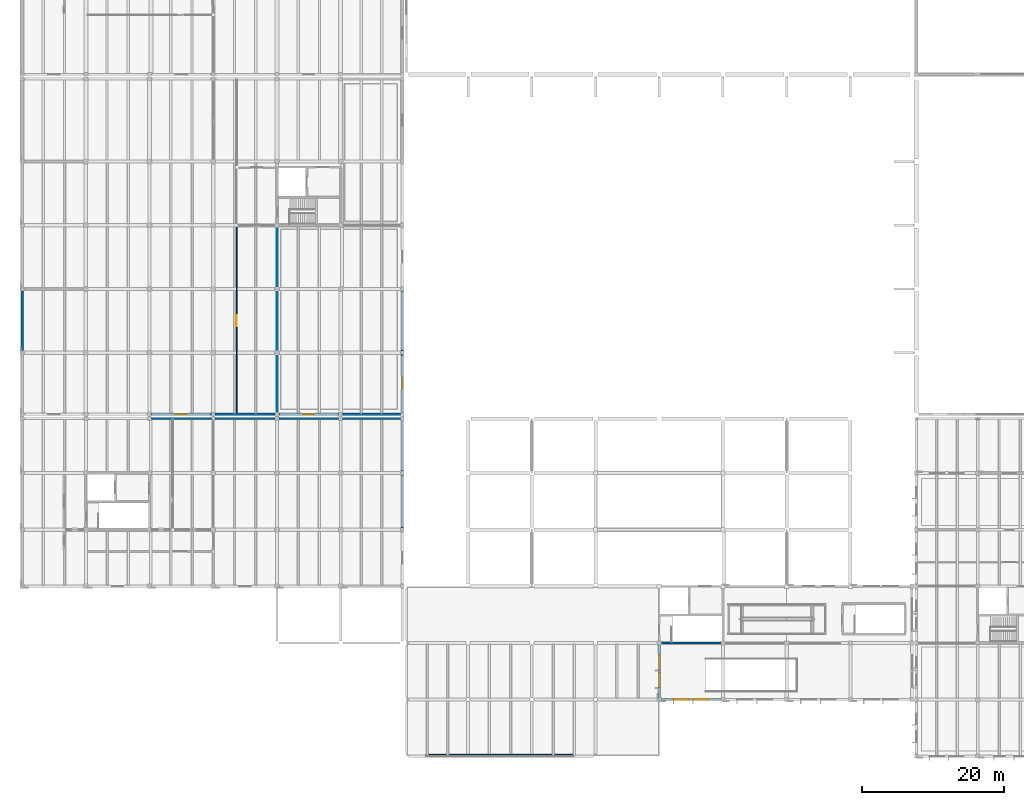
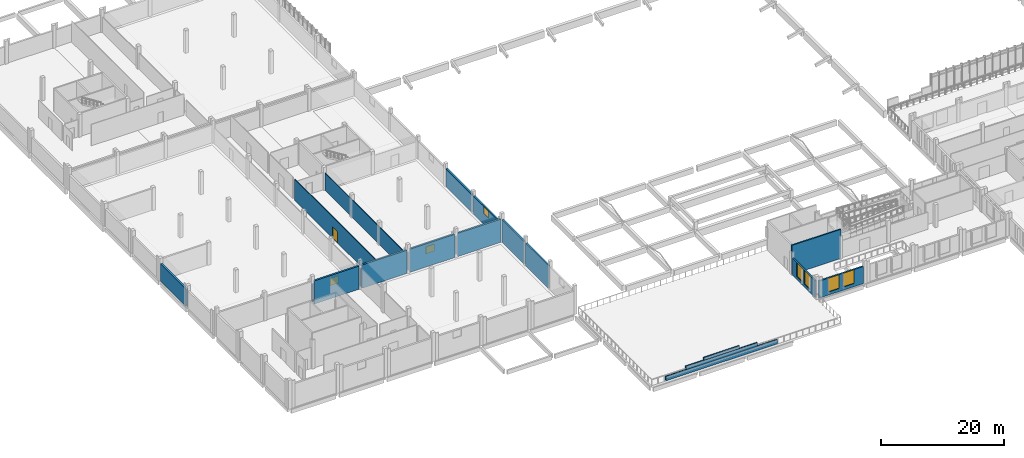
# One storey, part 34 of 63: 21 walls, 7 windows, 1 door, 8 openings.
"""IFC4 building model written with IfcOpenShell, lengths in metres."""

from ifc_helpers import new_model, si_unit, direction, frame, frame_2d, origin, place, context, subcontext, project, spatial, rectangle, extrude, material, layer, layer_set, type_object, element, fill, save


model = new_model("IFC4")

# Units and contexts
model_context = context("Model", 3, precision=1e-05, world=origin(), true_north=direction((0.0, 1.0)))
body_context = subcontext(model_context, "Body", "Model", "MODEL_VIEW")
ifc_project = project(units=[si_unit("LENGTHUNIT", "METRE"), si_unit("AREAUNIT", "SQUARE_METRE"), si_unit("VOLUMEUNIT", "CUBIC_METRE"), si_unit("PLANEANGLEUNIT", "RADIAN"), si_unit("MASSUNIT", "GRAM", prefix="KILO")], contexts=[model_context])

# Site, building, storey
site_placement = place(None, origin())
site = spatial("IfcSite", under=ifc_project, at=site_placement, CompositionType="ELEMENT")
building_placement = place(site_placement, origin())
building = spatial("IfcBuilding", under=site, at=building_placement, Name="Zacnel Wholesale Market", CompositionType="ELEMENT")
storey_placement = place(building_placement, frame((0.0, 0.0, 11.199951171875)))
storey = spatial("IfcBuildingStorey", under=building, at=storey_placement, Name="L03", CompositionType="ELEMENT", Elevation=11.199951171875)

# Walls
ifc_material_1 = material(Name="Concrete C40/50", Category="concrete")
ifc_layer_1 = layer(ifc_material_1, 0.25)
ifc_layer_set_1 = layer_set([ifc_layer_1], Name="Concrete C40/50")
wall_type_1 = type_object("IfcWallType", Name="WL-CORE-SW250", PredefinedType="SOLIDWALL", material=ifc_layer_set_1)
wall_1_placement = place(storey_placement, frame((107.875, 16.0, 0.0), z_axis=(0.0, 0.0, 1.0), x_axis=(1.0, 0.0, 0.0)))
element("IfcWall", 1, at=wall_1_placement, inside=storey, type_object=wall_type_1, Name="Core C8 south shear wall L03", PredefinedType="SOLIDWALL", context=body_context, shape_type="SweptSolid", body=[
    extrude(rectangle(XDim=9.25, YDim=0.25, at=frame_2d((4.625, 0.0))), origin(), (0.0, 0.0, 1.0), 5.800048828125),
])
ifc_material_2 = material(Name="Precast concrete C40/50 (insulated sandwich panel)", Category="concrete")
ifc_layer_2 = layer(ifc_material_2, 0.320068359375)
ifc_layer_set_2 = layer_set([ifc_layer_2], Name="Precast concrete C40/50 (insulated sandwich panel)")
wall_type_2 = type_object("IfcWallType", Name="WL-EXT-COLD-320", PredefinedType="SOLIDWALL", material=ifc_layer_set_2)
for number, where, z_axis, x_axis, name in (
    (2, (36.27490234375, 47.699951171875, 0.0), (0.0, 0.0, 1.0), (1.0, 0.0, 0.0), "Exterior wall L03-0317"),
    (3, (45.27490234375, 47.699951171875, 0.0), (0.0, 0.0, 1.0), (1.0, 0.0, 0.0), "Exterior wall L03-0318"),
    (4, (54.27490234375, 47.699951171875, 0.0), (0.0, 0.0, 1.0), (1.0, 0.0, 0.0), "Exterior wall L03-0319"),
):
    element("IfcWall", number, at=place(storey_placement, frame(where, z_axis=z_axis, x_axis=x_axis)), inside=storey, type_object=wall_type_2, Name=name, PredefinedType="SOLIDWALL", context=body_context, shape_type="SweptSolid", body=[
        extrude(rectangle(XDim=8.4501953125, YDim=0.320068359375, at=frame_2d((4.22509765625, 0.0))), origin(), (0.0, 0.0, 1.0), 4.6201171875),
    ])
wall_2_placement = place(storey_placement, frame((63.27490234375, 47.699951171875, 0.0), z_axis=(0.0, 0.0, 1.0), x_axis=(1.0, 0.0, 0.0)))
element("IfcWall", 5, at=wall_2_placement, inside=storey, type_object=wall_type_2, Name="Exterior wall L03-0320", PredefinedType="SOLIDWALL", context=body_context, shape_type="SweptSolid", body=[
    extrude(rectangle(XDim=8.150146484375, YDim=0.320068359375, at=frame_2d((4.0751953125, 0.0))), origin(), (0.0, 0.0, 1.0), 4.6201171875),
])
wall_3_placement = place(storey_placement, frame((71.699951171875, 32.27490234375, 0.0), z_axis=(0.0, 0.0, 1.0), x_axis=(0.0, 1.0, 0.0)))
element("IfcWall", 6, at=wall_3_placement, inside=storey, type_object=wall_type_2, Name="Exterior wall L03-0325", PredefinedType="SOLIDWALL", context=body_context, shape_type="SweptSolid", body=[
    extrude(rectangle(XDim=7.4501953125, YDim=0.320068359375, at=frame_2d((3.72509765625, 0.0))), origin(), (0.0, 0.0, 1.0), 4.52001953125),
])
wall_4_placement = place(storey_placement, frame((71.699951171875, 40.27490234375, 0.0), z_axis=(0.0, 0.0, 1.0), x_axis=(0.0, 1.0, 0.0)))
element("IfcWall", 7, at=wall_4_placement, inside=storey, type_object=wall_type_2, Name="Exterior wall L03-0326", PredefinedType="SOLIDWALL", context=body_context, shape_type="SweptSolid", body=[
    extrude(rectangle(XDim=7.150146484375, YDim=0.320068359375, at=frame_2d((3.5751953125, 0.0))), origin(), (0.0, 0.0, 1.0), 4.52001953125),
])

# Wall, opening, window
wall_5_placement = place(storey_placement, frame((36.27490234375, 48.300048828125, 0.0), z_axis=(0.0, 0.0, 1.0), x_axis=(1.0, 0.0, 0.0)))
wall_5 = element("IfcWall", 8, at=wall_5_placement, inside=storey, type_object=wall_type_2, Name="Exterior wall L03-0329", PredefinedType="SOLIDWALL", context=body_context, shape_type="SweptSolid", body=[
    extrude(rectangle(XDim=8.4501953125, YDim=0.320068359375, at=frame_2d((4.22509765625, 0.0))), origin(), (0.0, 0.0, 1.0), 3.52001953125),
])
opening_1_placement = place(wall_5_placement, frame((3.425048828125, 0.0, 2.030029296875)))
opening_1 = element("IfcOpeningElement", 9, at=opening_1_placement, cuts=wall_5, Name="Opening W-06", PredefinedType="OPENING", context=body_context, shape_type="SweptSolid", body=[
    extrude(rectangle(XDim=1.60009765625, YDim=1.449951171875, at=frame_2d((0.800048828125, 0.72509765625))), frame((0.0, 0.169921875, 0.0), z_axis=(0.0, -1.0, 0.0), x_axis=(1.0, 0.0, 0.0)), (0.0, 0.0, 1.0), 0.340087890625),
])
ifc_material_3 = material(Name="Laminated hurricane-impact low-E insulated glass", Category="glass")
window_type_1 = type_object("IfcWindowType", Name="WIN-HIG-1600X1450", PartitioningType="DOUBLE_PANEL_HORIZONTAL", PredefinedType="WINDOW", material=ifc_material_3)
window_1_placement = place(opening_1_placement, origin())
window_1 = element("IfcWindow", 10, at=window_1_placement, inside=storey, type_object=window_type_1, Name="Window L03-0357", OverallHeight=1.449951171875, OverallWidth=1.60009765625, PartitioningType="DOUBLE_PANEL_HORIZONTAL", PredefinedType="WINDOW", context=body_context, shape_type="SweptSolid", body=[
    extrude(rectangle(XDim=1.60009765625, YDim=1.449951171875, at=frame_2d((0.800048828125, 0.72509765625))), frame((0.0, 0.030029296875, 0.0), z_axis=(0.0, -1.0, 0.0), x_axis=(1.0, 0.0, 0.0)), (0.0, 0.0, 1.0), 0.06005859375),
])
fill(opening_1, window_1)

# Wall
wall_6_placement = place(storey_placement, frame((45.27490234375, 48.300048828125, 0.0), z_axis=(0.0, 0.0, 1.0), x_axis=(1.0, 0.0, 0.0)))
element("IfcWall", 11, at=wall_6_placement, inside=storey, type_object=wall_type_2, Name="Exterior wall L03-0330", PredefinedType="SOLIDWALL", context=body_context, shape_type="SweptSolid", body=[
    extrude(rectangle(XDim=8.4501953125, YDim=0.320068359375, at=frame_2d((4.22509765625, 0.0))), origin(), (0.0, 0.0, 1.0), 3.52001953125),
])

# Wall, opening, window
wall_7_placement = place(storey_placement, frame((54.27490234375, 48.300048828125, 0.0), z_axis=(0.0, 0.0, 1.0), x_axis=(1.0, 0.0, 0.0)))
wall_7 = element("IfcWall", 12, at=wall_7_placement, inside=storey, type_object=wall_type_2, Name="Exterior wall L03-0331", PredefinedType="SOLIDWALL", context=body_context, shape_type="SweptSolid", body=[
    extrude(rectangle(XDim=8.4501953125, YDim=0.320068359375, at=frame_2d((4.22509765625, 0.0))), origin(), (0.0, 0.0, 1.0), 3.52001953125),
])
opening_2_placement = place(wall_7_placement, frame((3.425048828125, 0.0, 2.030029296875)))
opening_2 = element("IfcOpeningElement", 13, at=opening_2_placement, cuts=wall_7, Name="Opening W-06", PredefinedType="OPENING", context=body_context, shape_type="SweptSolid", body=[
    extrude(rectangle(XDim=1.60009765625, YDim=1.449951171875, at=frame_2d((0.800048828125, 0.72509765625))), frame((0.0, 0.169921875, 0.0), z_axis=(0.0, -1.0, 0.0), x_axis=(1.0, 0.0, 0.0)), (0.0, 0.0, 1.0), 0.340087890625),
])
window_2_placement = place(opening_2_placement, origin())
window_2 = element("IfcWindow", 14, at=window_2_placement, inside=storey, type_object=window_type_1, Name="Window L03-0358", OverallHeight=1.449951171875, OverallWidth=1.60009765625, PartitioningType="DOUBLE_PANEL_HORIZONTAL", PredefinedType="WINDOW", context=body_context, shape_type="SweptSolid", body=[
    extrude(rectangle(XDim=1.60009765625, YDim=1.449951171875, at=frame_2d((0.800048828125, 0.72509765625))), frame((0.0, 0.030029296875, 0.0), z_axis=(0.0, -1.0, 0.0), x_axis=(1.0, 0.0, 0.0)), (0.0, 0.0, 1.0), 0.06005859375),
])
fill(opening_2, window_2)

# Walls
wall_8_placement = place(storey_placement, frame((63.27490234375, 48.300048828125, 0.0), z_axis=(0.0, 0.0, 1.0), x_axis=(1.0, 0.0, 0.0)))
element("IfcWall", 15, at=wall_8_placement, inside=storey, type_object=wall_type_2, Name="Exterior wall L03-0332", PredefinedType="SOLIDWALL", context=body_context, shape_type="SweptSolid", body=[
    extrude(rectangle(XDim=8.150146484375, YDim=0.320068359375, at=frame_2d((4.0751953125, 0.0))), origin(), (0.0, 0.0, 1.0), 3.52001953125),
])
wall_9_placement = place(storey_placement, frame((18.0, 57.300048828125, 0.0), z_axis=(0.0, 0.0, 1.0), x_axis=(0.0, 1.0, 0.0)))
element("IfcWall", 16, at=wall_9_placement, inside=storey, type_object=wall_type_2, Name="Exterior wall L03-0340", PredefinedType="SOLIDWALL", context=body_context, shape_type="SweptSolid", body=[
    extrude(rectangle(XDim=8.39990234375, YDim=0.320068359375, at=frame_2d((4.199951171875, 0.0))), origin(), (0.0, 0.0, 1.0), 3.469970703125),
])

# Wall, opening, window
wall_10_placement = place(storey_placement, frame((71.699951171875, 48.574951171875, 0.0), z_axis=(0.0, 0.0, 1.0), x_axis=(0.0, 1.0, 0.0)))
wall_10 = element("IfcWall", 17, at=wall_10_placement, inside=storey, type_object=wall_type_2, Name="Exterior wall L03-0344", PredefinedType="SOLIDWALL", context=body_context, shape_type="SweptSolid", body=[
    extrude(rectangle(XDim=8.150146484375, YDim=0.320068359375, at=frame_2d((4.0751953125, 0.0))), origin(), (0.0, 0.0, 1.0), 3.590087890625),
])
opening_3_placement = place(wall_10_placement, frame((3.27490234375, 0.0, 2.10009765625)))
opening_3 = element("IfcOpeningElement", 18, at=opening_3_placement, cuts=wall_10, Name="Opening W-06", PredefinedType="OPENING", context=body_context, shape_type="SweptSolid", body=[
    extrude(rectangle(XDim=1.60009765625, YDim=1.449951171875, at=frame_2d((0.800048828125, 0.72509765625))), frame((0.0, 0.169921875, 0.0), z_axis=(0.0, -1.0, 0.0), x_axis=(1.0, 0.0, 0.0)), (0.0, 0.0, 1.0), 0.340087890625),
])
window_3_placement = place(opening_3_placement, origin())
window_3 = element("IfcWindow", 19, at=window_3_placement, inside=storey, type_object=window_type_1, Name="Window L03-0359", OverallHeight=1.449951171875, OverallWidth=1.60009765625, PartitioningType="DOUBLE_PANEL_HORIZONTAL", PredefinedType="WINDOW", context=body_context, shape_type="SweptSolid", body=[
    extrude(rectangle(XDim=1.60009765625, YDim=1.449951171875, at=frame_2d((0.800048828125, 0.72509765625))), frame((0.0, 0.030029296875, 0.0), z_axis=(0.0, -1.0, 0.0), x_axis=(1.0, 0.0, 0.0)), (0.0, 0.0, 1.0), 0.06005859375),
])
fill(opening_3, window_3)

# Wall
wall_11_placement = place(storey_placement, frame((71.699951171875, 57.27490234375, 0.0), z_axis=(0.0, 0.0, 1.0), x_axis=(0.0, 1.0, 0.0)))
element("IfcWall", 20, at=wall_11_placement, inside=storey, type_object=wall_type_2, Name="Exterior wall L03-0345", PredefinedType="SOLIDWALL", context=body_context, shape_type="SweptSolid", body=[
    extrude(rectangle(XDim=8.4501953125, YDim=0.320068359375, at=frame_2d((4.22509765625, 0.0))), origin(), (0.0, 0.0, 1.0), 3.590087890625),
])

# Wall, openings, windows
ifc_material_4 = material(Name="Precast concrete C40/50 (Cancun limestone aggregate)", Category="masonry")
ifc_layer_3 = layer(ifc_material_4, 0.300048828125)
ifc_layer_set_3 = layer_set([ifc_layer_3], Name="Precast concrete C40/50 (Cancun limestone aggregate)")
wall_type_3 = type_object("IfcWallType", Name="WL-EXT-LIME-300", PredefinedType="SOLIDWALL", material=ifc_layer_set_3)
wall_12_placement = place(storey_placement, frame((108.300048828125, 8.0, 0.0), z_axis=(0.0, 0.0, 1.0), x_axis=(1.0, 0.0, 0.0)))
wall_12 = element("IfcWall", 21, at=wall_12_placement, inside=storey, type_object=wall_type_3, Name="Exterior wall L03-0367", PredefinedType="SOLIDWALL", context=body_context, shape_type="SweptSolid", body=[
    extrude(rectangle(XDim=8.39990234375, YDim=0.300048828125, at=frame_2d((4.199951171875, 0.0))), origin(), (0.0, 0.0, 1.0), 3.400146484375),
])
opening_4_placement = place(wall_12_placement, frame((1.75, 0.0, 0.610107421875)))
opening_4 = element("IfcOpeningElement", 22, at=opening_4_placement, cuts=wall_12, Name="Opening W-05", PredefinedType="OPENING", context=body_context, shape_type="SweptSolid", body=[
    extrude(rectangle(XDim=2.10009765625, YDim=2.75, at=frame_2d((1.050048828125, 1.375))), frame((0.0, 0.159912109375, 0.0), z_axis=(0.0, -1.0, 0.0), x_axis=(1.0, 0.0, 0.0)), (0.0, 0.0, 1.0), 0.320068359375),
])
opening_5_placement = place(wall_12_placement, frame((4.550048828125, 0.0, 0.610107421875)))
opening_5 = element("IfcOpeningElement", 23, at=opening_5_placement, cuts=wall_12, Name="Opening W-05", PredefinedType="OPENING", context=body_context, shape_type="SweptSolid", body=[
    extrude(rectangle(XDim=2.10009765625, YDim=2.75, at=frame_2d((1.050048828125, 1.375))), frame((0.0, 0.159912109375, 0.0), z_axis=(0.0, -1.0, 0.0), x_axis=(1.0, 0.0, 0.0)), (0.0, 0.0, 1.0), 0.320068359375),
])
ifc_material_5 = material(Name="Laminated hurricane-impact low-E insulated glass", Category="glass")
window_type_2 = type_object("IfcWindowType", Name="WIN-LAB-2100X2750", PartitioningType="DOUBLE_PANEL_VERTICAL", PredefinedType="WINDOW", material=ifc_material_5)
window_4_placement = place(opening_4_placement, origin())
window_4 = element("IfcWindow", 24, at=window_4_placement, inside=storey, type_object=window_type_2, Name="Window L03-0367", OverallHeight=2.75, OverallWidth=2.10009765625, PartitioningType="DOUBLE_PANEL_VERTICAL", PredefinedType="WINDOW", context=body_context, shape_type="SweptSolid", body=[
    extrude(rectangle(XDim=2.10009765625, YDim=2.75, at=frame_2d((1.050048828125, 1.375))), frame((0.0, 0.030029296875, 0.0), z_axis=(0.0, -1.0, 0.0), x_axis=(1.0, 0.0, 0.0)), (0.0, 0.0, 1.0), 0.06005859375),
])
fill(opening_4, window_4)
window_5_placement = place(opening_5_placement, origin())
window_5 = element("IfcWindow", 25, at=window_5_placement, inside=storey, type_object=window_type_2, Name="Window L03-0368", OverallHeight=2.75, OverallWidth=2.10009765625, PartitioningType="DOUBLE_PANEL_VERTICAL", PredefinedType="WINDOW", context=body_context, shape_type="SweptSolid", body=[
    extrude(rectangle(XDim=2.10009765625, YDim=2.75, at=frame_2d((1.050048828125, 1.375))), frame((0.0, 0.030029296875, 0.0), z_axis=(0.0, -1.0, 0.0), x_axis=(1.0, 0.0, 0.0)), (0.0, 0.0, 1.0), 0.06005859375),
])
fill(opening_5, window_5)

wall_13_placement = place(storey_placement, frame((108.0, 8.300048828125, 0.0), z_axis=(0.0, 0.0, 1.0), x_axis=(0.0, 1.0, 0.0)))
wall_13 = element("IfcWall", 26, at=wall_13_placement, inside=storey, type_object=wall_type_3, Name="Exterior wall L03-0374", PredefinedType="SOLIDWALL", context=body_context, shape_type="SweptSolid", body=[
    extrude(rectangle(XDim=7.39990234375, YDim=0.300048828125, at=frame_2d((3.699951171875, 0.0))), origin(), (0.0, 0.0, 1.0), 3.400146484375),
])
opening_6_placement = place(wall_13_placement, frame((1.4169921875, 0.0, 0.610107421875)))
opening_6 = element("IfcOpeningElement", 27, at=opening_6_placement, cuts=wall_13, Name="Opening W-05", PredefinedType="OPENING", context=body_context, shape_type="SweptSolid", body=[
    extrude(rectangle(XDim=2.10009765625, YDim=2.75, at=frame_2d((1.050048828125, 1.375))), frame((0.0, 0.159912109375, 0.0), z_axis=(0.0, -1.0, 0.0), x_axis=(1.0, 0.0, 0.0)), (0.0, 0.0, 1.0), 0.320068359375),
])
opening_7_placement = place(wall_13_placement, frame((3.883056640625, 0.0, 0.610107421875)))
opening_7 = element("IfcOpeningElement", 28, at=opening_7_placement, cuts=wall_13, Name="Opening W-05", PredefinedType="OPENING", context=body_context, shape_type="SweptSolid", body=[
    extrude(rectangle(XDim=2.10009765625, YDim=2.75, at=frame_2d((1.050048828125, 1.375))), frame((0.0, 0.159912109375, 0.0), z_axis=(0.0, -1.0, 0.0), x_axis=(1.0, 0.0, 0.0)), (0.0, 0.0, 1.0), 0.320068359375),
])
window_6_placement = place(opening_6_placement, origin())
window_6 = element("IfcWindow", 29, at=window_6_placement, inside=storey, type_object=window_type_2, Name="Window L03-0379", OverallHeight=2.75, OverallWidth=2.10009765625, PartitioningType="DOUBLE_PANEL_VERTICAL", PredefinedType="WINDOW", context=body_context, shape_type="SweptSolid", body=[
    extrude(rectangle(XDim=2.10009765625, YDim=2.75, at=frame_2d((1.050048828125, 1.375))), frame((0.0, 0.030029296875, 0.0), z_axis=(0.0, -1.0, 0.0), x_axis=(1.0, 0.0, 0.0)), (0.0, 0.0, 1.0), 0.06005859375),
])
fill(opening_6, window_6)
window_7_placement = place(opening_7_placement, origin())
window_7 = element("IfcWindow", 30, at=window_7_placement, inside=storey, type_object=window_type_2, Name="Window L03-0380", OverallHeight=2.75, OverallWidth=2.10009765625, PartitioningType="DOUBLE_PANEL_VERTICAL", PredefinedType="WINDOW", context=body_context, shape_type="SweptSolid", body=[
    extrude(rectangle(XDim=2.10009765625, YDim=2.75, at=frame_2d((1.050048828125, 1.375))), frame((0.0, 0.030029296875, 0.0), z_axis=(0.0, -1.0, 0.0), x_axis=(1.0, 0.0, 0.0)), (0.0, 0.0, 1.0), 0.06005859375),
])
fill(opening_7, window_7)

# Walls
ifc_material_6 = material(Name="Precast concrete C40/50 (Cancun limestone aggregate)", Category="masonry")
ifc_layer_4 = layer(ifc_material_6, 0.25)
ifc_layer_set_4 = layer_set([ifc_layer_4], Name="Precast concrete C40/50 (Cancun limestone aggregate)")
wall_type_4 = type_object("IfcWallType", Name="WL-PAR-ZIG-250", PredefinedType="PARAPET", material=ifc_layer_set_4)
wall_14_placement = place(storey_placement, frame((75.0, 0.125, 0.0), z_axis=(0.0, 0.0, 1.0), x_axis=(1.0, 0.0, 0.0)))
element("IfcWall", 31, at=wall_14_placement, inside=storey, type_object=wall_type_4, Name="Mayan-Art-Deco stepped portal crown ENV-CRN-V4SEA-1", PredefinedType="PARAPET", context=body_context, shape_type="SweptSolid", body=[
    extrude(rectangle(XDim=21.0, YDim=0.25, at=frame_2d((10.5, 0.0))), origin(), (0.0, 0.0, 1.0), 0.85009765625),
])
wall_15_placement = place(storey_placement, frame((78.780029296875, 0.125, 0.85009765625), z_axis=(0.0, 0.0, 1.0), x_axis=(1.0, 0.0, 0.0)))
element("IfcWall", 32, at=wall_15_placement, inside=storey, type_object=wall_type_4, Name="Mayan-Art-Deco stepped portal crown ENV-CRN-V4SEA-2", PredefinedType="PARAPET", context=body_context, shape_type="SweptSolid", body=[
    extrude(rectangle(XDim=13.43994140625, YDim=0.25, at=frame_2d((6.719970703125, 0.0))), origin(), (0.0, 0.0, 1.0), 0.699951171875),
])
wall_16_placement = place(storey_placement, frame((82.139892578125, 0.125, 1.550048828125), z_axis=(0.0, 0.0, 1.0), x_axis=(1.0, 0.0, 0.0)))
element("IfcWall", 33, at=wall_16_placement, inside=storey, type_object=wall_type_4, Name="Mayan-Art-Deco stepped portal crown ENV-CRN-V4SEA-3", PredefinedType="PARAPET", context=body_context, shape_type="SweptSolid", body=[
    extrude(rectangle(XDim=6.72021484375, YDim=0.25, at=frame_2d((3.360107421875, 0.0))), origin(), (0.0, 0.0, 1.0), 0.550048828125),
])
ifc_material_7 = material(Name="Moisture-resistant gypsum board partition")
ifc_layer_5 = layer(ifc_material_7, 0.125)
ifc_layer_set_5 = layer_set([ifc_layer_5], Name="Moisture-resistant gypsum board partition")
wall_type_5 = type_object("IfcWallType", Name="WL-PART-GYP125", PredefinedType="PARTITIONING", material=ifc_layer_set_5)
wall_17_placement = place(storey_placement, frame((54.0, 48.75, 0.0), z_axis=(0.0, 0.0, 1.0), x_axis=(0.0, 1.0, 0.0)))
element("IfcWall", 34, at=wall_17_placement, inside=storey, type_object=wall_type_5, Name="Interior partition L03-0154", PredefinedType="PARTITIONING", context=body_context, shape_type="SweptSolid", body=[
    extrude(rectangle(XDim=25.949951171875, YDim=0.125, at=frame_2d((12.97509765625, 0.0))), origin(), (0.0, 0.0, 1.0), 3.469970703125),
])

# Wall, opening, door
ifc_material_8 = material(Name="Moisture-resistant gypsum board partition")
ifc_layer_6 = layer(ifc_material_8, 0.139892578125)
ifc_layer_set_6 = layer_set([ifc_layer_6], Name="Moisture-resistant gypsum board partition")
wall_type_6 = type_object("IfcWallType", Name="WL-PART-GYP140", PredefinedType="PARTITIONING", material=ifc_layer_set_6)
wall_18_placement = place(storey_placement, frame((48.300048828125, 48.43994140625, 0.0), z_axis=(0.0, 0.0, 1.0), x_axis=(0.0, 1.0, 0.0)))
wall_18 = element("IfcWall", 35, at=wall_18_placement, inside=storey, type_object=wall_type_6, Name="Interior partition L03-0149", PredefinedType="PARTITIONING", context=body_context, shape_type="SweptSolid", body=[
    extrude(rectangle(XDim=26.260009765625, YDim=0.139892578125, at=frame_2d((13.1298828125, 0.0))), origin(), (0.0, 0.0, 1.0), 4.22998046875),
])
opening_8_placement = place(wall_18_placement, frame((12.280029296875, 0.0, 0.0)))
opening_8 = element("IfcOpeningElement", 36, at=opening_8_placement, cuts=wall_18, Name="Opening ID-14", PredefinedType="OPENING", context=body_context, shape_type="SweptSolid", body=[
    extrude(rectangle(XDim=1.56005859375, YDim=2.239990234375, at=frame_2d((0.780029296875, 1.1201171875))), frame((0.0, 0.079833984375, 0.0), z_axis=(0.0, -1.0, 0.0), x_axis=(1.0, 0.0, 0.0)), (0.0, 0.0, 1.0), 0.159912109375),
])
ifc_material_9 = material(Name="Solid-core tropical hardwood door", Category="wood")
door_type = type_object("IfcDoorType", Name="DR-LAB-DBL-1560", OperationType="NOTDEFINED", PredefinedType="DOOR", material=ifc_material_9)
door_placement = place(opening_8_placement, origin())
door = element("IfcDoor", 37, at=door_placement, inside=storey, type_object=door_type, Name="Interior door L03-0116", OperationType="SINGLE_SWING_LEFT", OverallHeight=2.239990234375, OverallWidth=1.56005859375, PredefinedType="DOOR", context=body_context, shape_type="SweptSolid", body=[
    extrude(rectangle(XDim=1.56005859375, YDim=2.239990234375, at=frame_2d((0.780029296875, 1.1201171875))), frame((0.0, 0.02490234375, 0.0), z_axis=(0.0, -1.0, 0.0), x_axis=(1.0, 0.0, 0.0)), (0.0, 0.0, 1.0), 0.050048828125),
])
fill(opening_8, door)

save(model, "model.ifc")
